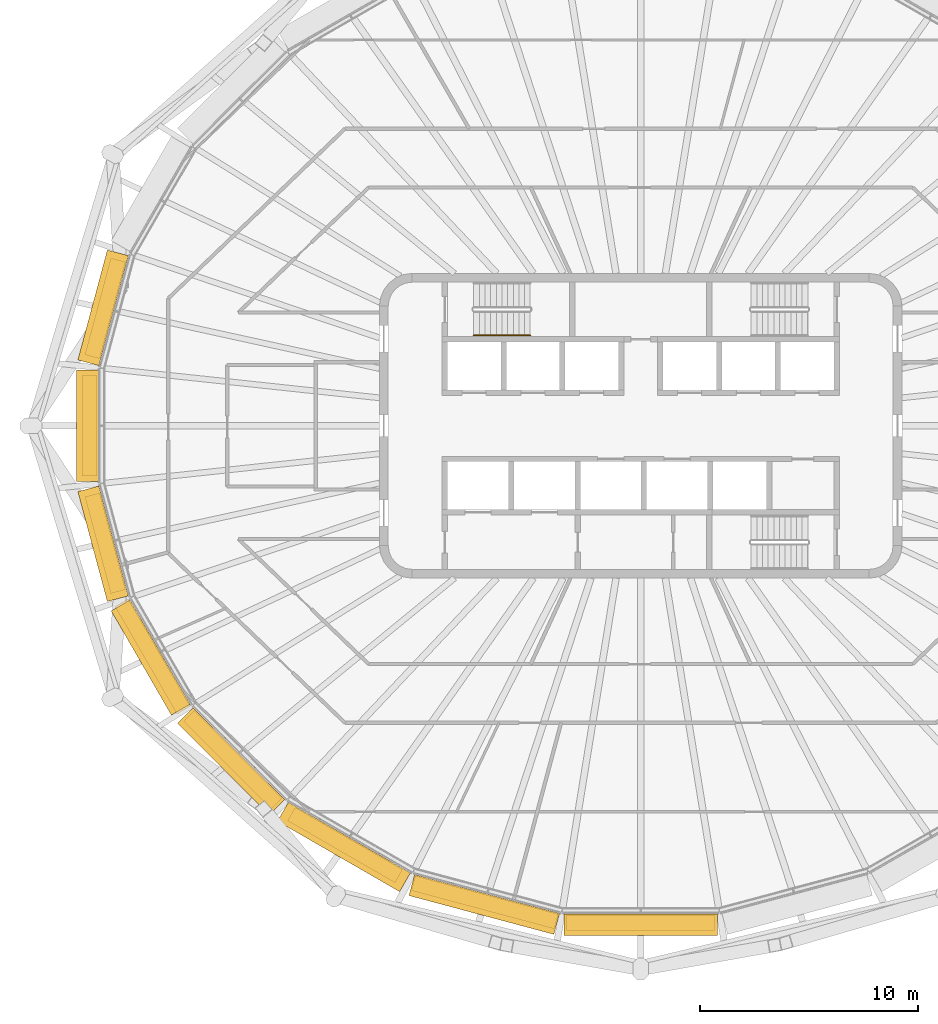
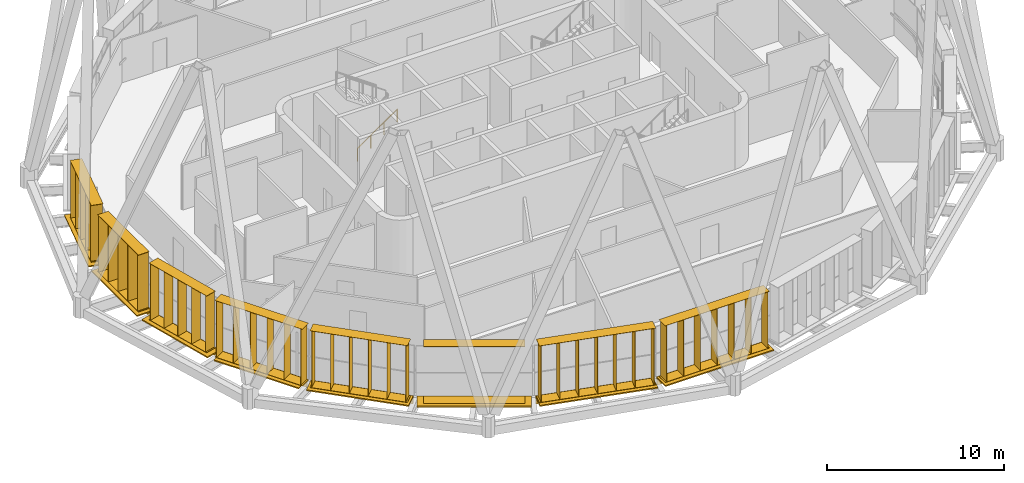
# One storey, part 14 of 18: 16 shading devices, 1 railing.
"""IFC4 building model written with IfcOpenShell, lengths in metres."""

from ifc_helpers import new_model, si_unit, direction, frame, origin, origin_2d, place, context, subcontext, project, spatial, rectangle, circle, extrude, material, type_object, element, save


model = new_model("IFC4")

# Units and contexts
model_context = context("Model", 3, precision=1e-05, world=origin(), true_north=direction((0.0, 1.0)))
body_context = subcontext(model_context, "Body", "Model", "MODEL_VIEW")
ifc_project = project(units=[si_unit("LENGTHUNIT", "METRE"), si_unit("AREAUNIT", "SQUARE_METRE"), si_unit("VOLUMEUNIT", "CUBIC_METRE"), si_unit("PLANEANGLEUNIT", "RADIAN"), si_unit("MASSUNIT", "GRAM", prefix="KILO")], contexts=[model_context])

# Site, building, storey
site_placement = place(None, origin())
site = spatial("IfcSite", under=ifc_project, at=site_placement, CompositionType="ELEMENT")
building_placement = place(site_placement, origin())
building = spatial("IfcBuilding", under=site, at=building_placement, Name="Sahrelin Media Tower", CompositionType="ELEMENT")
storey_placement = place(building_placement, frame((0.0, 0.0, 316.39990234375)))
storey = spatial("IfcBuildingStorey", under=building, at=storey_placement, Name="L70", CompositionType="ELEMENT", Elevation=316.39990234375)

# Shading devices
ifc_material_1 = material(Name="Champagne anodised aluminium 6063-T6", Category="aluminium")
shading_device_type_1 = type_object("IfcShadingDeviceType", Name="Fin cassette", PredefinedType="USERDEFINED", material=ifc_material_1)
placement_1 = place(storey_placement, frame((-24.195556640625, 5.285888671875, 0.0), z_axis=(0.0, 0.0, 1.0), x_axis=(0.258807731996, 0.965928857556, 0.0)))
element("IfcShadingDevice", 1, at=placement_1, inside=storey, type_object=shading_device_type_1, Name="L70:FIN:L70-11", ObjectType="FIN", PredefinedType="USERDEFINED", context=body_context, shape_type="SweptSolid", body=[
    extrude(rectangle(XDim=4.60009765625, YDim=0.699951171875, at=origin_2d()), frame((0.0, 0.419921875, 0.0)), (0.0, 0.0, 1.0), 0.02001953125),
    extrude(rectangle(XDim=4.60009765625, YDim=0.699951171875, at=origin_2d()), frame((0.0, 0.419921875, 3.89990234375)), (0.0, 0.0, 1.0), 0.02001953125),
    extrude(rectangle(XDim=0.02001953125, YDim=0.699951171875, at=origin_2d()), frame((-2.199951171875, 0.419921875, 0.010009765625), z_axis=(0.0, 0.0, 1.0), x_axis=(1.0, 0.0, 0.0)), (0.0, 0.0, 1.0), 3.89990234375),
    extrude(rectangle(XDim=0.02001953125, YDim=0.699951171875, at=origin_2d()), frame((-1.10009765625, 0.419921875, 0.010009765625), z_axis=(0.0, 0.0, 1.0), x_axis=(1.0, 0.0, 0.0)), (0.0, 0.0, 1.0), 3.89990234375),
    extrude(rectangle(XDim=0.02001953125, YDim=0.699951171875, at=origin_2d()), frame((0.0, 0.419921875, 0.010009765625), z_axis=(0.0, 0.0, 1.0), x_axis=(1.0, 0.0, 0.0)), (0.0, 0.0, 1.0), 3.89990234375),
    extrude(rectangle(XDim=0.02001953125, YDim=0.699951171875, at=origin_2d()), frame((1.10009765625, 0.419921875, 0.010009765625), z_axis=(0.0, 0.0, 1.0), x_axis=(1.0, 0.0, 0.0)), (0.0, 0.0, 1.0), 3.89990234375),
    extrude(rectangle(XDim=0.02001953125, YDim=0.699951171875, at=origin_2d()), frame((2.199951171875, 0.419921875, 0.010009765625), z_axis=(0.0, 0.0, 1.0), x_axis=(1.0, 0.0, 0.0)), (0.0, 0.0, 1.0), 3.89990234375),
])
placement_2 = place(storey_placement, frame((-24.898193359375, 0.0, 0.0), z_axis=(0.0, 0.0, 1.0), x_axis=(0.0, 1.0, 0.0)))
element("IfcShadingDevice", 2, at=placement_2, inside=storey, type_object=shading_device_type_1, Name="L70:FIN:L70-12", ObjectType="FIN", PredefinedType="USERDEFINED", context=body_context, shape_type="SweptSolid", body=[
    extrude(rectangle(XDim=4.60009765625, YDim=0.699951171875, at=origin_2d()), frame((0.0, 0.419921875, 0.0)), (0.0, 0.0, 1.0), 0.02001953125),
    extrude(rectangle(XDim=4.60009765625, YDim=0.699951171875, at=origin_2d()), frame((0.0, 0.419921875, 3.89990234375)), (0.0, 0.0, 1.0), 0.02001953125),
    extrude(rectangle(XDim=0.02001953125, YDim=0.699951171875, at=origin_2d()), frame((-2.199951171875, 0.419921875, 0.010009765625), z_axis=(0.0, 0.0, 1.0), x_axis=(1.0, 0.0, 0.0)), (0.0, 0.0, 1.0), 3.89990234375),
    extrude(rectangle(XDim=0.02001953125, YDim=0.699951171875, at=origin_2d()), frame((-1.10009765625, 0.419921875, 0.010009765625), z_axis=(0.0, 0.0, 1.0), x_axis=(1.0, 0.0, 0.0)), (0.0, 0.0, 1.0), 3.89990234375),
    extrude(rectangle(XDim=0.02001953125, YDim=0.699951171875, at=origin_2d()), frame((0.0, 0.419921875, 0.010009765625), z_axis=(0.0, 0.0, 1.0), x_axis=(1.0, 0.0, 0.0)), (0.0, 0.0, 1.0), 3.89990234375),
    extrude(rectangle(XDim=0.02001953125, YDim=0.699951171875, at=origin_2d()), frame((1.10009765625, 0.419921875, 0.010009765625), z_axis=(0.0, 0.0, 1.0), x_axis=(1.0, 0.0, 0.0)), (0.0, 0.0, 1.0), 3.89990234375),
    extrude(rectangle(XDim=0.02001953125, YDim=0.699951171875, at=origin_2d()), frame((2.199951171875, 0.419921875, 0.010009765625), z_axis=(0.0, 0.0, 1.0), x_axis=(1.0, 0.0, 0.0)), (0.0, 0.0, 1.0), 3.89990234375),
])
placement_3 = place(storey_placement, frame((-24.195556640625, -5.285888671875, 0.0), z_axis=(0.0, 0.0, 1.0), x_axis=(-0.258807731996, 0.965928857556, 0.0)))
element("IfcShadingDevice", 3, at=placement_3, inside=storey, type_object=shading_device_type_1, Name="L70:FIN:L70-13", ObjectType="FIN", PredefinedType="USERDEFINED", context=body_context, shape_type="SweptSolid", body=[
    extrude(rectangle(XDim=4.60009765625, YDim=0.699951171875, at=origin_2d()), frame((0.0, 0.419921875, 0.0)), (0.0, 0.0, 1.0), 0.02001953125),
    extrude(rectangle(XDim=4.60009765625, YDim=0.699951171875, at=origin_2d()), frame((0.0, 0.419921875, 3.89990234375)), (0.0, 0.0, 1.0), 0.02001953125),
    extrude(rectangle(XDim=0.02001953125, YDim=0.699951171875, at=origin_2d()), frame((-2.199951171875, 0.419921875, 0.010009765625), z_axis=(0.0, 0.0, 1.0), x_axis=(1.0, 0.0, 0.0)), (0.0, 0.0, 1.0), 3.89990234375),
    extrude(rectangle(XDim=0.02001953125, YDim=0.699951171875, at=origin_2d()), frame((-1.10009765625, 0.419921875, 0.010009765625), z_axis=(0.0, 0.0, 1.0), x_axis=(1.0, 0.0, 0.0)), (0.0, 0.0, 1.0), 3.89990234375),
    extrude(rectangle(XDim=0.02001953125, YDim=0.699951171875, at=origin_2d()), frame((0.0, 0.419921875, 0.010009765625), z_axis=(0.0, 0.0, 1.0), x_axis=(1.0, 0.0, 0.0)), (0.0, 0.0, 1.0), 3.89990234375),
    extrude(rectangle(XDim=0.02001953125, YDim=0.699951171875, at=origin_2d()), frame((1.10009765625, 0.419921875, 0.010009765625), z_axis=(0.0, 0.0, 1.0), x_axis=(1.0, 0.0, 0.0)), (0.0, 0.0, 1.0), 3.89990234375),
    extrude(rectangle(XDim=0.02001953125, YDim=0.699951171875, at=origin_2d()), frame((2.199951171875, 0.419921875, 0.010009765625), z_axis=(0.0, 0.0, 1.0), x_axis=(1.0, 0.0, 0.0)), (0.0, 0.0, 1.0), 3.89990234375),
])
placement_4 = place(storey_placement, frame((-22.0615234375, -10.3876953125, 0.0), z_axis=(0.0, 0.0, 1.0), x_axis=(-0.500011000363, 0.866019052629, 0.0)))
element("IfcShadingDevice", 4, at=placement_4, inside=storey, type_object=shading_device_type_1, Name="L70:FIN:L70-14", ObjectType="FIN", PredefinedType="USERDEFINED", context=body_context, shape_type="SweptSolid", body=[
    extrude(rectangle(XDim=5.699951171875, YDim=0.699951171875, at=origin_2d()), frame((0.0, 0.419921875, 0.0)), (0.0, 0.0, 1.0), 0.02001953125),
    extrude(rectangle(XDim=5.699951171875, YDim=0.699951171875, at=origin_2d()), frame((0.0, 0.419921875, 3.89990234375)), (0.0, 0.0, 1.0), 0.02001953125),
    extrude(rectangle(XDim=0.02001953125, YDim=0.699951171875, at=origin_2d()), frame((-2.75, 0.419921875, 0.010009765625), z_axis=(0.0, 0.0, 1.0), x_axis=(1.0, 0.0, 0.0)), (0.0, 0.0, 1.0), 3.89990234375),
    extrude(rectangle(XDim=0.02001953125, YDim=0.699951171875, at=origin_2d()), frame((-1.64990234375, 0.419921875, 0.010009765625), z_axis=(0.0, 0.0, 1.0), x_axis=(1.0, 0.0, 0.0)), (0.0, 0.0, 1.0), 3.89990234375),
    extrude(rectangle(XDim=0.02001953125, YDim=0.699951171875, at=origin_2d()), frame((-0.550048828125, 0.419921875, 0.010009765625), z_axis=(0.0, 0.0, 1.0), x_axis=(1.0, 0.0, 0.0)), (0.0, 0.0, 1.0), 3.89990234375),
    extrude(rectangle(XDim=0.02001953125, YDim=0.699951171875, at=origin_2d()), frame((0.550048828125, 0.419921875, 0.010009765625), z_axis=(0.0, 0.0, 1.0), x_axis=(1.0, 0.0, 0.0)), (0.0, 0.0, 1.0), 3.89990234375),
    extrude(rectangle(XDim=0.02001953125, YDim=0.699951171875, at=origin_2d()), frame((1.64990234375, 0.419921875, 0.010009765625), z_axis=(0.0, 0.0, 1.0), x_axis=(1.0, 0.0, 0.0)), (0.0, 0.0, 1.0), 3.89990234375),
    extrude(rectangle(XDim=0.02001953125, YDim=0.699951171875, at=origin_2d()), frame((2.75, 0.419921875, 0.010009765625), z_axis=(0.0, 0.0, 1.0), x_axis=(1.0, 0.0, 0.0)), (0.0, 0.0, 1.0), 3.89990234375),
])
placement_5 = place(storey_placement, frame((-18.447509765625, -15.04931640625, 0.0), z_axis=(0.0, 0.0, 1.0), x_axis=(-0.707106781187, 0.707106781187, 0.0)))
element("IfcShadingDevice", 5, at=placement_5, inside=storey, type_object=shading_device_type_1, Name="L70:FIN:L70-15", ObjectType="FIN", PredefinedType="USERDEFINED", context=body_context, shape_type="SweptSolid", body=[
    extrude(rectangle(XDim=5.699951171875, YDim=0.699951171875, at=origin_2d()), frame((0.0, 0.419921875, 0.0)), (0.0, 0.0, 1.0), 0.02001953125),
    extrude(rectangle(XDim=5.699951171875, YDim=0.699951171875, at=origin_2d()), frame((0.0, 0.419921875, 3.89990234375)), (0.0, 0.0, 1.0), 0.02001953125),
    extrude(rectangle(XDim=0.02001953125, YDim=0.699951171875, at=origin_2d()), frame((-2.75, 0.419921875, 0.010009765625), z_axis=(0.0, 0.0, 1.0), x_axis=(1.0, 0.0, 0.0)), (0.0, 0.0, 1.0), 3.89990234375),
    extrude(rectangle(XDim=0.02001953125, YDim=0.699951171875, at=origin_2d()), frame((-1.64990234375, 0.419921875, 0.010009765625), z_axis=(0.0, 0.0, 1.0), x_axis=(1.0, 0.0, 0.0)), (0.0, 0.0, 1.0), 3.89990234375),
    extrude(rectangle(XDim=0.02001953125, YDim=0.699951171875, at=origin_2d()), frame((-0.550048828125, 0.419921875, 0.010009765625), z_axis=(0.0, 0.0, 1.0), x_axis=(1.0, 0.0, 0.0)), (0.0, 0.0, 1.0), 3.89990234375),
    extrude(rectangle(XDim=0.02001953125, YDim=0.699951171875, at=origin_2d()), frame((0.550048828125, 0.419921875, 0.010009765625), z_axis=(0.0, 0.0, 1.0), x_axis=(1.0, 0.0, 0.0)), (0.0, 0.0, 1.0), 3.89990234375),
    extrude(rectangle(XDim=0.02001953125, YDim=0.699951171875, at=origin_2d()), frame((1.64990234375, 0.419921875, 0.010009765625), z_axis=(0.0, 0.0, 1.0), x_axis=(1.0, 0.0, 0.0)), (0.0, 0.0, 1.0), 3.89990234375),
    extrude(rectangle(XDim=0.02001953125, YDim=0.699951171875, at=origin_2d()), frame((2.75, 0.419921875, 0.010009765625), z_axis=(0.0, 0.0, 1.0), x_axis=(1.0, 0.0, 0.0)), (0.0, 0.0, 1.0), 3.89990234375),
])
placement_6 = place(storey_placement, frame((-13.372314453125, -18.902099609375, 0.0), z_axis=(0.0, 0.0, 1.0), x_axis=(-0.866019052629, 0.500011000363, 0.0)))
element("IfcShadingDevice", 6, at=placement_6, inside=storey, type_object=shading_device_type_1, Name="L70:FIN:L70-16", ObjectType="FIN", PredefinedType="USERDEFINED", context=body_context, shape_type="SweptSolid", body=[
    extrude(rectangle(XDim=5.699951171875, YDim=0.699951171875, at=origin_2d()), frame((0.0, 0.419921875, 0.0)), (0.0, 0.0, 1.0), 0.02001953125),
    extrude(rectangle(XDim=5.699951171875, YDim=0.699951171875, at=origin_2d()), frame((0.0, 0.419921875, 3.89990234375)), (0.0, 0.0, 1.0), 0.02001953125),
    extrude(rectangle(XDim=0.02001953125, YDim=0.699951171875, at=origin_2d()), frame((-2.75, 0.419921875, 0.010009765625), z_axis=(0.0, 0.0, 1.0), x_axis=(1.0, 0.0, 0.0)), (0.0, 0.0, 1.0), 3.89990234375),
    extrude(rectangle(XDim=0.02001953125, YDim=0.699951171875, at=origin_2d()), frame((-1.64990234375, 0.419921875, 0.010009765625), z_axis=(0.0, 0.0, 1.0), x_axis=(1.0, 0.0, 0.0)), (0.0, 0.0, 1.0), 3.89990234375),
    extrude(rectangle(XDim=0.02001953125, YDim=0.699951171875, at=origin_2d()), frame((-0.550048828125, 0.419921875, 0.010009765625), z_axis=(0.0, 0.0, 1.0), x_axis=(1.0, 0.0, 0.0)), (0.0, 0.0, 1.0), 3.89990234375),
    extrude(rectangle(XDim=0.02001953125, YDim=0.699951171875, at=origin_2d()), frame((0.550048828125, 0.419921875, 0.010009765625), z_axis=(0.0, 0.0, 1.0), x_axis=(1.0, 0.0, 0.0)), (0.0, 0.0, 1.0), 3.89990234375),
    extrude(rectangle(XDim=0.02001953125, YDim=0.699951171875, at=origin_2d()), frame((1.64990234375, 0.419921875, 0.010009765625), z_axis=(0.0, 0.0, 1.0), x_axis=(1.0, 0.0, 0.0)), (0.0, 0.0, 1.0), 3.89990234375),
    extrude(rectangle(XDim=0.02001953125, YDim=0.699951171875, at=origin_2d()), frame((2.75, 0.419921875, 0.010009765625), z_axis=(0.0, 0.0, 1.0), x_axis=(1.0, 0.0, 0.0)), (0.0, 0.0, 1.0), 3.89990234375),
])
placement_7 = place(storey_placement, frame((-7.0537109375, -21.489990234375, 0.0), z_axis=(0.0, 0.0, 1.0), x_axis=(-0.965928857556, 0.258807731996, 0.0)))
element("IfcShadingDevice", 7, at=placement_7, inside=storey, type_object=shading_device_type_1, Name="L70:FIN:L70-17", ObjectType="FIN", PredefinedType="USERDEFINED", context=body_context, shape_type="SweptSolid", body=[
    extrude(rectangle(XDim=6.800048828125, YDim=0.699951171875, at=origin_2d()), frame((0.0, 0.419921875, 0.0)), (0.0, 0.0, 1.0), 0.02001953125),
    extrude(rectangle(XDim=6.800048828125, YDim=0.699951171875, at=origin_2d()), frame((0.0, 0.419921875, 3.89990234375)), (0.0, 0.0, 1.0), 0.02001953125),
    extrude(rectangle(XDim=0.02001953125, YDim=0.699951171875, at=origin_2d()), frame((-3.300048828125, 0.419921875, 0.010009765625), z_axis=(0.0, 0.0, 1.0), x_axis=(1.0, 0.0, 0.0)), (0.0, 0.0, 1.0), 3.89990234375),
    extrude(rectangle(XDim=0.02001953125, YDim=0.699951171875, at=origin_2d()), frame((-2.199951171875, 0.419921875, 0.010009765625), z_axis=(0.0, 0.0, 1.0), x_axis=(1.0, 0.0, 0.0)), (0.0, 0.0, 1.0), 3.89990234375),
    extrude(rectangle(XDim=0.02001953125, YDim=0.699951171875, at=origin_2d()), frame((-1.10009765625, 0.419921875, 0.010009765625), z_axis=(0.0, 0.0, 1.0), x_axis=(1.0, 0.0, 0.0)), (0.0, 0.0, 1.0), 3.89990234375),
    extrude(rectangle(XDim=0.02001953125, YDim=0.699951171875, at=origin_2d()), frame((0.0, 0.419921875, 0.010009765625), z_axis=(0.0, 0.0, 1.0), x_axis=(1.0, 0.0, 0.0)), (0.0, 0.0, 1.0), 3.89990234375),
    extrude(rectangle(XDim=0.02001953125, YDim=0.699951171875, at=origin_2d()), frame((1.10009765625, 0.419921875, 0.010009765625), z_axis=(0.0, 0.0, 1.0), x_axis=(1.0, 0.0, 0.0)), (0.0, 0.0, 1.0), 3.89990234375),
    extrude(rectangle(XDim=0.02001953125, YDim=0.699951171875, at=origin_2d()), frame((2.199951171875, 0.419921875, 0.010009765625), z_axis=(0.0, 0.0, 1.0), x_axis=(1.0, 0.0, 0.0)), (0.0, 0.0, 1.0), 3.89990234375),
    extrude(rectangle(XDim=0.02001953125, YDim=0.699951171875, at=origin_2d()), frame((3.300048828125, 0.419921875, 0.010009765625), z_axis=(0.0, 0.0, 1.0), x_axis=(1.0, 0.0, 0.0)), (0.0, 0.0, 1.0), 3.89990234375),
])
placement_8 = place(storey_placement, frame((0.0, -22.408203125, 0.0), z_axis=(0.0, 0.0, 1.0), x_axis=(-1.0, 0.0, 0.0)))
element("IfcShadingDevice", 8, at=placement_8, inside=storey, type_object=shading_device_type_1, Name="L70:FIN:L70-18", ObjectType="FIN", PredefinedType="USERDEFINED", context=body_context, shape_type="SweptSolid", body=[
    extrude(rectangle(XDim=6.800048828125, YDim=0.699951171875, at=origin_2d()), frame((0.0, 0.419921875, 0.0)), (0.0, 0.0, 1.0), 0.02001953125),
    extrude(rectangle(XDim=6.800048828125, YDim=0.699951171875, at=origin_2d()), frame((0.0, 0.419921875, 3.89990234375)), (0.0, 0.0, 1.0), 0.02001953125),
    extrude(rectangle(XDim=0.02001953125, YDim=0.699951171875, at=origin_2d()), frame((-3.300048828125, 0.419921875, 0.010009765625), z_axis=(0.0, 0.0, 1.0), x_axis=(1.0, 0.0, 0.0)), (0.0, 0.0, 1.0), 3.89990234375),
    extrude(rectangle(XDim=0.02001953125, YDim=0.699951171875, at=origin_2d()), frame((-2.199951171875, 0.419921875, 0.010009765625), z_axis=(0.0, 0.0, 1.0), x_axis=(1.0, 0.0, 0.0)), (0.0, 0.0, 1.0), 3.89990234375),
    extrude(rectangle(XDim=0.02001953125, YDim=0.699951171875, at=origin_2d()), frame((-1.10009765625, 0.419921875, 0.010009765625), z_axis=(0.0, 0.0, 1.0), x_axis=(1.0, 0.0, 0.0)), (0.0, 0.0, 1.0), 3.89990234375),
    extrude(rectangle(XDim=0.02001953125, YDim=0.699951171875, at=origin_2d()), frame((0.0, 0.419921875, 0.010009765625), z_axis=(0.0, 0.0, 1.0), x_axis=(1.0, 0.0, 0.0)), (0.0, 0.0, 1.0), 3.89990234375),
    extrude(rectangle(XDim=0.02001953125, YDim=0.699951171875, at=origin_2d()), frame((1.10009765625, 0.419921875, 0.010009765625), z_axis=(0.0, 0.0, 1.0), x_axis=(1.0, 0.0, 0.0)), (0.0, 0.0, 1.0), 3.89990234375),
    extrude(rectangle(XDim=0.02001953125, YDim=0.699951171875, at=origin_2d()), frame((2.199951171875, 0.419921875, 0.010009765625), z_axis=(0.0, 0.0, 1.0), x_axis=(1.0, 0.0, 0.0)), (0.0, 0.0, 1.0), 3.89990234375),
    extrude(rectangle(XDim=0.02001953125, YDim=0.699951171875, at=origin_2d()), frame((3.300048828125, 0.419921875, 0.010009765625), z_axis=(0.0, 0.0, 1.0), x_axis=(1.0, 0.0, 0.0)), (0.0, 0.0, 1.0), 3.89990234375),
])

# Railing
ifc_material_2 = material(Name="Steel S355", Category="steel")
railing_type = type_object("IfcRailingType", Name="Stair handrail 900", PredefinedType="HANDRAIL", material=ifc_material_2)
railing_placement = place(storey_placement, frame((-7.675048828125, 4.14990234375, 0.181884765625)))
element("IfcRailing", 9, at=railing_placement, inside=storey, type_object=railing_type, Name="L70 ST1 stair handrail 1", PredefinedType="HANDRAIL", context=body_context, shape_type="SweptSolid", body=[
    extrude(circle(Radius=0.02392578125, at=origin_2d()), frame((0.0, 0.0, 0.8759765625), z_axis=(0.819521025635, 0.0, 0.573049115296), x_axis=(0.0, 1.0, 0.0)), (0.0, 0.0, 1.0), 3.172607421875),
    extrude(circle(Radius=0.02099609375, at=origin_2d()), origin(), (0.0, 0.0, 1.0), 0.851806640625),
    extrude(circle(Radius=0.02099609375, at=origin_2d()), frame((0.86669921875, 0.0, 0.60595703125)), (0.0, 0.0, 1.0), 0.851806640625),
    extrude(circle(Radius=0.02099609375, at=origin_2d()), frame((1.7333984375, 0.0, 1.212158203125)), (0.0, 0.0, 1.0), 0.851806640625),
    extrude(circle(Radius=0.02099609375, at=origin_2d()), frame((2.60009765625, 0.0, 1.818115234375)), (0.0, 0.0, 1.0), 0.851806640625),
])

# Shading devices
shading_device_type_2 = type_object("IfcShadingDeviceType", Name="Sunshade band", PredefinedType="USERDEFINED", material=ifc_material_1)
element("IfcShadingDevice", 10, at=placement_1, inside=storey, type_object=shading_device_type_2, Name="L70:SUN:L70-11", ObjectType="SUNSHADE", PredefinedType="USERDEFINED", context=body_context, shape_type="SweptSolid", body=[
    extrude(rectangle(XDim=5.2294921875, YDim=0.050048828125, at=origin_2d()), frame((0.0, 0.044921875, -0.55126953125)), (0.0, 0.0, 1.0), 0.471435546875),
    extrude(rectangle(XDim=5.2294921875, YDim=1.0, at=origin_2d()), frame((0.0, 0.52001953125, -0.080078125)), (0.0, 0.0, 1.0), 0.080078125),
    extrude(rectangle(XDim=0.10009765625, YDim=0.074951171875, at=origin_2d()), frame((-2.514892578125, -0.017578125, -0.47021484375)), (0.0, 0.0, 1.0), 0.300048828125),
    extrude(rectangle(XDim=0.10009765625, YDim=0.074951171875, at=origin_2d()), frame((-0.83837890625, -0.017578125, -0.47021484375)), (0.0, 0.0, 1.0), 0.300048828125),
    extrude(rectangle(XDim=0.10009765625, YDim=0.074951171875, at=origin_2d()), frame((0.83837890625, -0.017578125, -0.47021484375)), (0.0, 0.0, 1.0), 0.300048828125),
    extrude(rectangle(XDim=0.10009765625, YDim=0.074951171875, at=origin_2d()), frame((2.514892578125, -0.017578125, -0.47021484375)), (0.0, 0.0, 1.0), 0.300048828125),
])
element("IfcShadingDevice", 11, at=placement_2, inside=storey, type_object=shading_device_type_2, Name="L70:SUN:L70-12", ObjectType="SUNSHADE", PredefinedType="USERDEFINED", context=body_context, shape_type="SweptSolid", body=[
    extrude(rectangle(XDim=5.12744140625, YDim=0.050048828125, at=origin_2d()), frame((0.0, 0.044921875, -0.55126953125)), (0.0, 0.0, 1.0), 0.471435546875),
    extrude(rectangle(XDim=5.12744140625, YDim=1.0, at=origin_2d()), frame((0.0, 0.52001953125, -0.080078125)), (0.0, 0.0, 1.0), 0.080078125),
    extrude(rectangle(XDim=0.10009765625, YDim=0.074951171875, at=origin_2d()), frame((-2.463623046875, -0.017578125, -0.47021484375)), (0.0, 0.0, 1.0), 0.300048828125),
    extrude(rectangle(XDim=0.10009765625, YDim=0.074951171875, at=origin_2d()), frame((-0.8212890625, -0.017578125, -0.47021484375)), (0.0, 0.0, 1.0), 0.300048828125),
    extrude(rectangle(XDim=0.10009765625, YDim=0.074951171875, at=origin_2d()), frame((0.8212890625, -0.017578125, -0.47021484375)), (0.0, 0.0, 1.0), 0.300048828125),
    extrude(rectangle(XDim=0.10009765625, YDim=0.074951171875, at=origin_2d()), frame((2.463623046875, -0.017578125, -0.47021484375)), (0.0, 0.0, 1.0), 0.300048828125),
])
element("IfcShadingDevice", 12, at=placement_3, inside=storey, type_object=shading_device_type_2, Name="L70:SUN:L70-13", ObjectType="SUNSHADE", PredefinedType="USERDEFINED", context=body_context, shape_type="SweptSolid", body=[
    extrude(rectangle(XDim=5.2294921875, YDim=0.050048828125, at=origin_2d()), frame((0.0, 0.044921875, -0.55126953125)), (0.0, 0.0, 1.0), 0.471435546875),
    extrude(rectangle(XDim=5.2294921875, YDim=1.0, at=origin_2d()), frame((0.0, 0.52001953125, -0.080078125)), (0.0, 0.0, 1.0), 0.080078125),
    extrude(rectangle(XDim=0.10009765625, YDim=0.074951171875, at=origin_2d()), frame((-2.514892578125, -0.017578125, -0.47021484375)), (0.0, 0.0, 1.0), 0.300048828125),
    extrude(rectangle(XDim=0.10009765625, YDim=0.074951171875, at=origin_2d()), frame((-0.83837890625, -0.017578125, -0.47021484375)), (0.0, 0.0, 1.0), 0.300048828125),
    extrude(rectangle(XDim=0.10009765625, YDim=0.074951171875, at=origin_2d()), frame((0.83837890625, -0.017578125, -0.47021484375)), (0.0, 0.0, 1.0), 0.300048828125),
    extrude(rectangle(XDim=0.10009765625, YDim=0.074951171875, at=origin_2d()), frame((2.514892578125, -0.017578125, -0.47021484375)), (0.0, 0.0, 1.0), 0.300048828125),
])
element("IfcShadingDevice", 13, at=placement_4, inside=storey, type_object=shading_device_type_2, Name="L70:SUN:L70-14", ObjectType="SUNSHADE", PredefinedType="USERDEFINED", context=body_context, shape_type="SweptSolid", body=[
    extrude(rectangle(XDim=5.525634765625, YDim=0.050048828125, at=origin_2d()), frame((0.0, 0.044921875, -0.55126953125)), (0.0, 0.0, 1.0), 0.471435546875),
    extrude(rectangle(XDim=5.525634765625, YDim=1.0, at=origin_2d()), frame((0.0, 0.52001953125, -0.080078125)), (0.0, 0.0, 1.0), 0.080078125),
    extrude(rectangle(XDim=0.10009765625, YDim=0.074951171875, at=origin_2d()), frame((-2.662841796875, -0.017578125, -0.47021484375)), (0.0, 0.0, 1.0), 0.300048828125),
    extrude(rectangle(XDim=0.10009765625, YDim=0.074951171875, at=origin_2d()), frame((-0.8876953125, -0.017578125, -0.47021484375)), (0.0, 0.0, 1.0), 0.300048828125),
    extrude(rectangle(XDim=0.10009765625, YDim=0.074951171875, at=origin_2d()), frame((0.8876953125, -0.017578125, -0.47021484375)), (0.0, 0.0, 1.0), 0.300048828125),
    extrude(rectangle(XDim=0.10009765625, YDim=0.074951171875, at=origin_2d()), frame((2.662841796875, -0.017578125, -0.47021484375)), (0.0, 0.0, 1.0), 0.300048828125),
])
element("IfcShadingDevice", 14, at=placement_5, inside=storey, type_object=shading_device_type_2, Name="L70:SUN:L70-15", ObjectType="SUNSHADE", PredefinedType="USERDEFINED", context=body_context, shape_type="SweptSolid", body=[
    extrude(rectangle(XDim=5.973388671875, YDim=0.050048828125, at=origin_2d()), frame((0.0, 0.044921875, -0.55126953125)), (0.0, 0.0, 1.0), 0.471435546875),
    extrude(rectangle(XDim=5.973388671875, YDim=1.0, at=origin_2d()), frame((0.0, 0.52001953125, -0.080078125)), (0.0, 0.0, 1.0), 0.080078125),
    extrude(rectangle(XDim=0.10009765625, YDim=0.074951171875, at=origin_2d()), frame((-2.88671875, -0.017578125, -0.47021484375)), (0.0, 0.0, 1.0), 0.300048828125),
    extrude(rectangle(XDim=0.10009765625, YDim=0.074951171875, at=origin_2d()), frame((-0.962158203125, -0.017578125, -0.47021484375)), (0.0, 0.0, 1.0), 0.300048828125),
    extrude(rectangle(XDim=0.10009765625, YDim=0.074951171875, at=origin_2d()), frame((0.962158203125, -0.017578125, -0.47021484375)), (0.0, 0.0, 1.0), 0.300048828125),
    extrude(rectangle(XDim=0.10009765625, YDim=0.074951171875, at=origin_2d()), frame((2.88671875, -0.017578125, -0.47021484375)), (0.0, 0.0, 1.0), 0.300048828125),
])
element("IfcShadingDevice", 15, at=placement_6, inside=storey, type_object=shading_device_type_2, Name="L70:SUN:L70-16", ObjectType="SUNSHADE", PredefinedType="USERDEFINED", context=body_context, shape_type="SweptSolid", body=[
    extrude(rectangle(XDim=6.47998046875, YDim=0.050048828125, at=origin_2d()), frame((0.0, 0.044921875, -0.55126953125)), (0.0, 0.0, 1.0), 0.471435546875),
    extrude(rectangle(XDim=6.47998046875, YDim=1.0, at=origin_2d()), frame((0.0, 0.52001953125, -0.080078125)), (0.0, 0.0, 1.0), 0.080078125),
    extrude(rectangle(XDim=0.10009765625, YDim=0.074951171875, at=origin_2d()), frame((-3.139892578125, -0.017578125, -0.47021484375)), (0.0, 0.0, 1.0), 0.300048828125),
    extrude(rectangle(XDim=0.10009765625, YDim=0.074951171875, at=origin_2d()), frame((-1.570068359375, -0.017578125, -0.47021484375)), (0.0, 0.0, 1.0), 0.300048828125),
    extrude(rectangle(XDim=0.10009765625, YDim=0.074951171875, at=origin_2d()), frame((0.0, -0.017578125, -0.47021484375)), (0.0, 0.0, 1.0), 0.300048828125),
    extrude(rectangle(XDim=0.10009765625, YDim=0.074951171875, at=origin_2d()), frame((1.570068359375, -0.017578125, -0.47021484375)), (0.0, 0.0, 1.0), 0.300048828125),
    extrude(rectangle(XDim=0.10009765625, YDim=0.074951171875, at=origin_2d()), frame((3.139892578125, -0.017578125, -0.47021484375)), (0.0, 0.0, 1.0), 0.300048828125),
])
element("IfcShadingDevice", 16, at=placement_7, inside=storey, type_object=shading_device_type_2, Name="L70:SUN:L70-17", ObjectType="SUNSHADE", PredefinedType="USERDEFINED", context=body_context, shape_type="SweptSolid", body=[
    extrude(rectangle(XDim=6.893798828125, YDim=0.050048828125, at=origin_2d()), frame((0.0, 0.044921875, -0.55126953125)), (0.0, 0.0, 1.0), 0.471435546875),
    extrude(rectangle(XDim=6.893798828125, YDim=1.0, at=origin_2d()), frame((0.0, 0.52001953125, -0.080078125)), (0.0, 0.0, 1.0), 0.080078125),
    extrude(rectangle(XDim=0.10009765625, YDim=0.074951171875, at=origin_2d()), frame((-3.346923828125, -0.017578125, -0.47021484375)), (0.0, 0.0, 1.0), 0.300048828125),
    extrude(rectangle(XDim=0.10009765625, YDim=0.074951171875, at=origin_2d()), frame((-1.673583984375, -0.017578125, -0.47021484375)), (0.0, 0.0, 1.0), 0.300048828125),
    extrude(rectangle(XDim=0.10009765625, YDim=0.074951171875, at=origin_2d()), frame((0.0, -0.017578125, -0.47021484375)), (0.0, 0.0, 1.0), 0.300048828125),
    extrude(rectangle(XDim=0.10009765625, YDim=0.074951171875, at=origin_2d()), frame((1.673583984375, -0.017578125, -0.47021484375)), (0.0, 0.0, 1.0), 0.300048828125),
    extrude(rectangle(XDim=0.10009765625, YDim=0.074951171875, at=origin_2d()), frame((3.346923828125, -0.017578125, -0.47021484375)), (0.0, 0.0, 1.0), 0.300048828125),
])
element("IfcShadingDevice", 17, at=placement_8, inside=storey, type_object=shading_device_type_2, Name="L70:SUN:L70-18", ObjectType="SUNSHADE", PredefinedType="USERDEFINED", context=body_context, shape_type="SweptSolid", body=[
    extrude(rectangle(XDim=7.055419921875, YDim=0.050048828125, at=origin_2d()), frame((0.0, 0.044921875, -0.55126953125)), (0.0, 0.0, 1.0), 0.471435546875),
    extrude(rectangle(XDim=7.055419921875, YDim=1.0, at=origin_2d()), frame((0.0, 0.52001953125, -0.080078125)), (0.0, 0.0, 1.0), 0.080078125),
    extrude(rectangle(XDim=0.10009765625, YDim=0.074951171875, at=origin_2d()), frame((-3.427734375, -0.017578125, -0.47021484375)), (0.0, 0.0, 1.0), 0.300048828125),
    extrude(rectangle(XDim=0.10009765625, YDim=0.074951171875, at=origin_2d()), frame((-1.7138671875, -0.017578125, -0.47021484375)), (0.0, 0.0, 1.0), 0.300048828125),
    extrude(rectangle(XDim=0.10009765625, YDim=0.074951171875, at=origin_2d()), frame((0.0, -0.017578125, -0.47021484375)), (0.0, 0.0, 1.0), 0.300048828125),
    extrude(rectangle(XDim=0.10009765625, YDim=0.074951171875, at=origin_2d()), frame((1.7138671875, -0.017578125, -0.47021484375)), (0.0, 0.0, 1.0), 0.300048828125),
    extrude(rectangle(XDim=0.10009765625, YDim=0.074951171875, at=origin_2d()), frame((3.427734375, -0.017578125, -0.47021484375)), (0.0, 0.0, 1.0), 0.300048828125),
])

save(model, "model.ifc")
